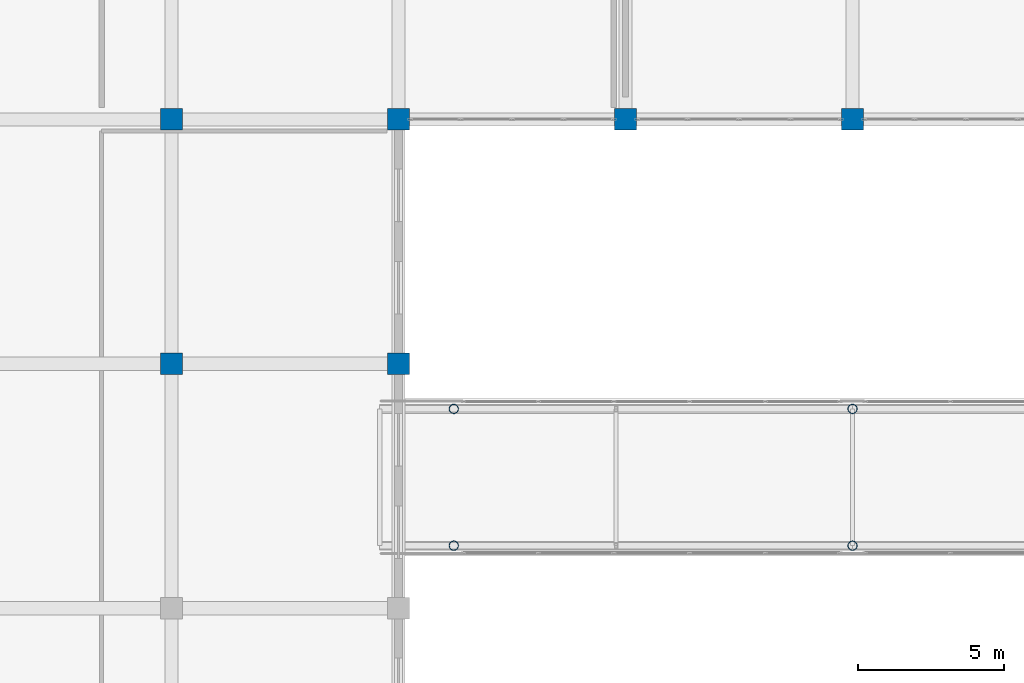
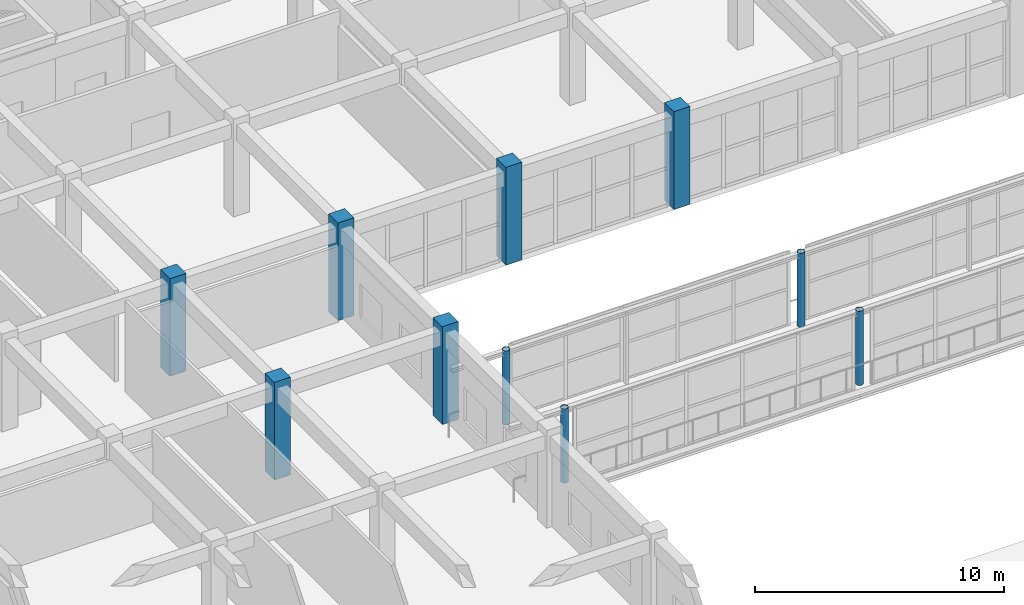
# One storey, part 2 of 167: 10 columns.
"""IFC4 building model written with IfcOpenShell, lengths in metres."""

from ifc_helpers import new_model, si_unit, direction, frame, origin, origin_2d, place, context, subcontext, project, spatial, rectangle, hollow_circle, extrude, material, material_profile, profile_set, type_object, element, save


model = new_model("IFC4")

# Units and contexts
model_context = context("Model", 3, precision=1e-05, world=origin(), true_north=direction((0.0, 1.0)))
body_context = subcontext(model_context, "Body", "Model", "MODEL_VIEW")
ifc_project = project(units=[si_unit("LENGTHUNIT", "METRE"), si_unit("AREAUNIT", "SQUARE_METRE"), si_unit("VOLUMEUNIT", "CUBIC_METRE"), si_unit("PLANEANGLEUNIT", "RADIAN"), si_unit("MASSUNIT", "GRAM", prefix="KILO")], contexts=[model_context])

# Site, building, storey
site_placement = place(None, origin())
site = spatial("IfcSite", under=ifc_project, at=site_placement, CompositionType="ELEMENT")
building_placement = place(site_placement, origin())
building = spatial("IfcBuilding", under=site, at=building_placement, Name="Zizhar Promenade General Hospital", CompositionType="ELEMENT")
storey_placement = place(building_placement, frame((0.0, 0.0, 9.60009765625)))
storey = spatial("IfcBuildingStorey", under=building, at=storey_placement, Name="L02", CompositionType="ELEMENT", Elevation=9.60009765625)

# Columns
ifc_material_1 = material(Name="Concrete C40/50", Category="concrete")
ifc_material_profile_1 = material_profile(ifc_material_1, rectangle(XDim=0.75, YDim=0.75, at=origin_2d()))
ifc_profile_set_1 = profile_set([ifc_material_profile_1], Name="Concrete C40/50")
column_type_1 = type_object("IfcColumnType", Name="COL-RC-750", PredefinedType="COLUMN", material=ifc_profile_set_1)
for number, where, z_axis, x_axis, name in (
    (1, (62.39990234375, 84.0, 0.0), (0.0, 0.0, 1.0), (1.0, 0.0, 0.0), "Column 9-L (L02)"),
    (2, (62.39990234375, 92.39990234375, 0.0), (0.0, 0.0, 1.0), (1.0, 0.0, 0.0), "Column 9-M (L02)"),
    (3, (70.199951171875, 84.0, 0.0), (0.0, 0.0, 1.0), (1.0, 0.0, 0.0), "Column 10-L (L02)"),
    (4, (70.199951171875, 92.39990234375, 0.0), (0.0, 0.0, 1.0), (1.0, 0.0, 0.0), "Column 10-M (L02)"),
    (5, (78.0, 92.39990234375, 0.0), (0.0, 0.0, 1.0), (1.0, 0.0, 0.0), "Column 11-M (L02)"),
    (6, (85.800048828125, 92.39990234375, 0.0), (0.0, 0.0, 1.0), (1.0, 0.0, 0.0), "Column 12-M (L02)"),
):
    element("IfcColumn", number, at=place(storey_placement, frame(where, z_axis=z_axis, x_axis=x_axis)), inside=storey, type_object=column_type_1, Name=name, PredefinedType="COLUMN", context=body_context, shape_type="SweptSolid", body=[
        extrude(rectangle(XDim=0.75, YDim=0.75, at=origin_2d()), origin(), (0.0, 0.0, 1.0), 4.7998046875),
    ])
ifc_material_2 = material(Name="Steel S355", Category="steel")
ifc_material_profile_2 = material_profile(ifc_material_2, hollow_circle(Radius=0.161865234375, WallThickness=0.012451171875, at=origin_2d()))
ifc_profile_set_2 = profile_set([ifc_material_profile_2], Name="Steel S355")
column_type_2 = type_object("IfcColumnType", Name="COL-STL-CHS324", PredefinedType="COLUMN", material=ifc_profile_set_2)
for number, where, z_axis, x_axis, name in (
    (7, (85.800048828125, 77.75, 0.0), (0.0, 0.0, 1.0), (1.0, 0.0, 0.0), "SB-2 Courtyard Pier 1S (L02)"),
    (8, (85.800048828125, 82.449951171875, 0.0), (0.0, 0.0, 1.0), (1.0, 0.0, 0.0), "SB-2 Courtyard Pier 1N (L02)"),
    (9, (72.10009765625, 77.75, 0.0), (0.0, 0.0, 1.0), (1.0, 0.0, 0.0), "SB-2 Abutment Pier 1S (L02)"),
    (10, (72.10009765625, 82.449951171875, 0.0), (0.0, 0.0, 1.0), (1.0, 0.0, 0.0), "SB-2 Abutment Pier 1N (L02)"),
):
    element("IfcColumn", number, at=place(storey_placement, frame(where, z_axis=z_axis, x_axis=x_axis)), inside=storey, type_object=column_type_2, Name=name, PredefinedType="COLUMN", context=body_context, shape_type="SweptSolid", body=[
        extrude(hollow_circle(Radius=0.161865234375, WallThickness=0.012451171875, at=origin_2d()), origin(), (0.0, 0.0, 1.0), 3.639892578125),
    ])

save(model, "model.ifc")
